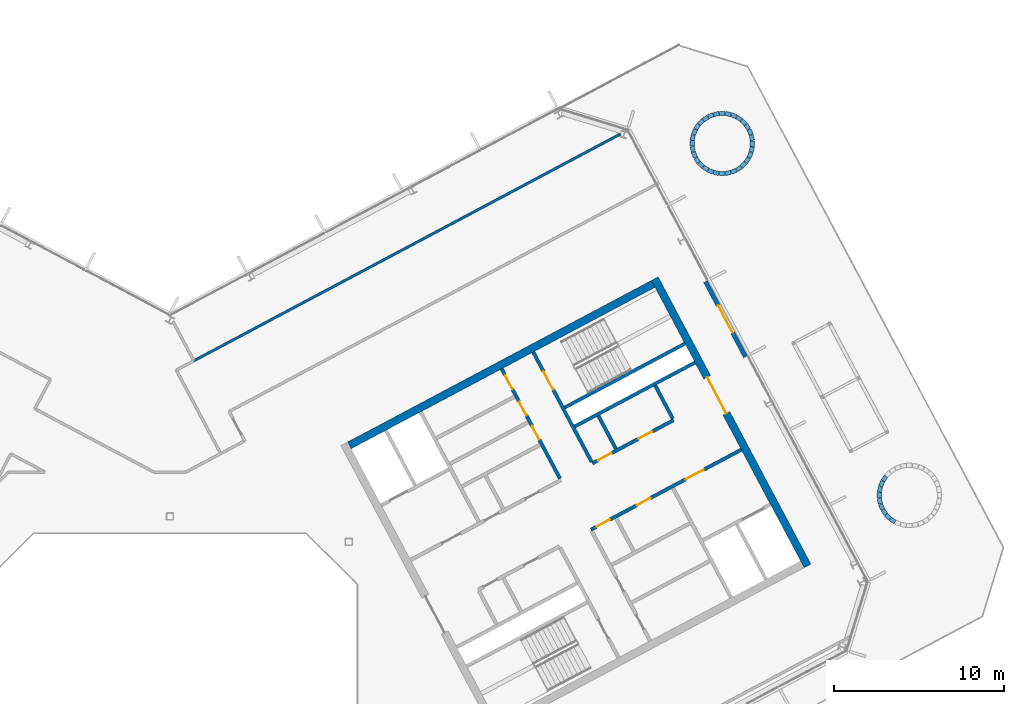
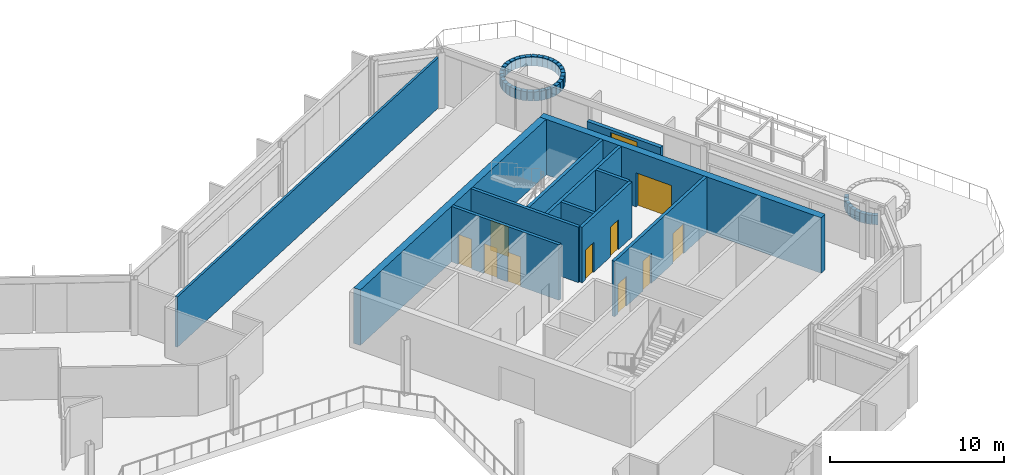
# One storey, part 18 of 30: 53 walls, 11 doors, 11 openings.
"""IFC4 building model written with IfcOpenShell, lengths in metres."""

from ifc_helpers import new_model, si_unit, direction, frame, frame_2d, origin, place, context, subcontext, project, spatial, rectangle, extrude, material, layer, layer_set, type_object, element, fill, save


model = new_model("IFC4")

# Units and contexts
model_context = context("Model", 3, precision=1e-05, world=origin(), true_north=direction((0.0, 1.0)))
body_context = subcontext(model_context, "Body", "Model", "MODEL_VIEW")
ifc_project = project(units=[si_unit("LENGTHUNIT", "METRE"), si_unit("AREAUNIT", "SQUARE_METRE"), si_unit("VOLUMEUNIT", "CUBIC_METRE"), si_unit("PLANEANGLEUNIT", "RADIAN"), si_unit("MASSUNIT", "GRAM", prefix="KILO")], contexts=[model_context])

# Site, building, storey
site_placement = place(None, origin())
site = spatial("IfcSite", under=ifc_project, at=site_placement, CompositionType="ELEMENT")
building_placement = place(site_placement, origin())
building = spatial("IfcBuilding", under=site, at=building_placement, Name="Cormorant Relay Tower", CompositionType="ELEMENT")
storey_placement = place(building_placement, frame((0.0, 0.0, 258.0)))
storey = spatial("IfcBuildingStorey", under=building, at=storey_placement, Name="L57", CompositionType="ELEMENT", Elevation=258.0)

# Wall
ifc_material_1 = material(Name="Concrete 40 MPa", Category="concrete")
ifc_layer_1 = layer(ifc_material_1, 0.199951171875)
ifc_layer_set_1 = layer_set([ifc_layer_1], Name="Core internal wall 200")
wall_type_1 = type_object("IfcWallType", Name="Core internal wall 200", PredefinedType="SOLIDWALL", material=ifc_layer_set_1)
wall_1_placement = place(storey_placement, frame((26.19091796875, 15.964599609375, 0.0), z_axis=(0.0, 0.0, 1.0), x_axis=(-0.469533832133, 0.882914480843, 0.0)))
element("IfcWall", 1, at=wall_1_placement, inside=storey, type_object=wall_type_1, Name="L57 core B shaft and room wall", PredefinedType="SOLIDWALL", context=body_context, shape_type="SweptSolid", body=[
    extrude(rectangle(XDim=2.199951171875, YDim=0.199951171875, at=frame_2d((1.10009765625, 0.0))), origin(), (0.0, 0.0, 1.0), 3.89990234375),
])

# Wall, openings, doors
ifc_material_2 = material(Name="Concrete 50 MPa", Category="concrete")
ifc_layer_2 = layer(ifc_material_2, 0.199951171875)
ifc_layer_set_2 = layer_set([ifc_layer_2], Name="Core shaft wall 200")
wall_type_2 = type_object("IfcWallType", Name="Core shaft wall 200", PredefinedType="SHEAR", material=ifc_layer_set_2)
wall_2_placement = place(storey_placement, frame((22.90625, 14.218017578125, 0.0), z_axis=(0.0, 0.0, 1.0), x_axis=(-0.469480409012, 0.88294288918, 0.0)))
wall_2 = element("IfcWall", 2, at=wall_2_placement, inside=storey, type_object=wall_type_2, Name="L57 core B shaft wall", PredefinedType="SHEAR", context=body_context, shape_type="SweptSolid", body=[
    extrude(rectangle(XDim=7.300048828125, YDim=0.199951171875, at=frame_2d((3.64990234375, 0.0))), origin(), (0.0, 0.0, 1.0), 3.89990234375),
])
opening_1_placement = place(wall_2_placement, frame((2.60009765625, 0.0, 0.0)))
opening_1 = element("IfcOpeningElement", 3, at=opening_1_placement, cuts=wall_2, Name="Opening CDD-314", PredefinedType="OPENING", context=body_context, shape_type="SweptSolid", body=[
    extrude(rectangle(XDim=0.89990234375, YDim=2.10009765625, at=frame_2d((0.449951171875, 1.050048828125))), frame((0.0, 0.10986328125, 0.0), z_axis=(0.0, -1.0, 0.0), x_axis=(1.0, 0.0, 0.0)), (0.0, 0.0, 1.0), 0.219970703125),
])
opening_2_placement = place(wall_2_placement, frame((4.199951171875, 0.0, 0.0)))
opening_2 = element("IfcOpeningElement", 4, at=opening_2_placement, cuts=wall_2, Name="Opening CDD-315", PredefinedType="OPENING", context=body_context, shape_type="SweptSolid", body=[
    extrude(rectangle(XDim=0.89990234375, YDim=2.10009765625, at=frame_2d((0.449951171875, 1.050048828125))), frame((0.0, 0.10986328125, 0.0), z_axis=(0.0, -1.0, 0.0), x_axis=(1.0, 0.0, 0.0)), (0.0, 0.0, 1.0), 0.219970703125),
])
opening_3_placement = place(wall_2_placement, frame((5.949951171875, 0.0, 0.0)))
opening_3 = element("IfcOpeningElement", 5, at=opening_3_placement, cuts=wall_2, Name="Opening CDD-316", PredefinedType="OPENING", context=body_context, shape_type="SweptSolid", body=[
    extrude(rectangle(XDim=0.89990234375, YDim=2.10009765625, at=frame_2d((0.449951171875, 1.050048828125))), frame((0.0, 0.10986328125, 0.0), z_axis=(0.0, -1.0, 0.0), x_axis=(1.0, 0.0, 0.0)), (0.0, 0.0, 1.0), 0.219970703125),
])
ifc_material_3 = material(Name="Steel fire door", Category="steel")
door_type_1 = type_object("IfcDoorType", Name="Core room door 900x2100", OperationType="SINGLE_SWING_LEFT", PredefinedType="DOOR", material=ifc_material_3)
door_1_placement = place(opening_1_placement, frame((0.89990234375, 0.0, 0.0), z_axis=(0.0, 0.0, 1.0), x_axis=(-1.0, 0.0, 0.0)))
door_1 = element("IfcDoor", 6, at=door_1_placement, inside=storey, type_object=door_type_1, Name="Core room door 900x2100", OperationType="SINGLE_SWING_LEFT", OverallHeight=2.10009765625, OverallWidth=0.89990234375, PredefinedType="DOOR", context=body_context, shape_type="SweptSolid", body=[
    extrude(rectangle(XDim=0.89990234375, YDim=2.10009765625, at=frame_2d((0.449951171875, 1.050048828125))), frame((0.0, 0.02490234375, 0.0), z_axis=(0.0, -1.0, 0.0), x_axis=(1.0, 0.0, 0.0)), (0.0, 0.0, 1.0), 0.050048828125),
])
fill(opening_1, door_1)
door_2_placement = place(opening_2_placement, frame((0.89990234375, 0.0, 0.0), z_axis=(0.0, 0.0, 1.0), x_axis=(-1.0, 0.0, 0.0)))
door_2 = element("IfcDoor", 7, at=door_2_placement, inside=storey, type_object=door_type_1, Name="Core room door 900x2100", OperationType="SINGLE_SWING_LEFT", OverallHeight=2.10009765625, OverallWidth=0.89990234375, PredefinedType="DOOR", context=body_context, shape_type="SweptSolid", body=[
    extrude(rectangle(XDim=0.89990234375, YDim=2.10009765625, at=frame_2d((0.449951171875, 1.050048828125))), frame((0.0, 0.02490234375, 0.0), z_axis=(0.0, -1.0, 0.0), x_axis=(1.0, 0.0, 0.0)), (0.0, 0.0, 1.0), 0.050048828125),
])
fill(opening_2, door_2)
door_3_placement = place(opening_3_placement, frame((0.89990234375, 0.0, 0.0), z_axis=(0.0, 0.0, 1.0), x_axis=(-1.0, 0.0, 0.0)))
door_3 = element("IfcDoor", 8, at=door_3_placement, inside=storey, type_object=door_type_1, Name="Core room door 900x2100", OperationType="SINGLE_SWING_LEFT", OverallHeight=2.10009765625, OverallWidth=0.89990234375, PredefinedType="DOOR", context=body_context, shape_type="SweptSolid", body=[
    extrude(rectangle(XDim=0.89990234375, YDim=2.10009765625, at=frame_2d((0.449951171875, 1.050048828125))), frame((0.0, 0.02490234375, 0.0), z_axis=(0.0, -1.0, 0.0), x_axis=(1.0, 0.0, 0.0)), (0.0, 0.0, 1.0), 0.050048828125),
])
fill(opening_3, door_3)

# Wall, opening, door
wall_3_placement = place(storey_placement, frame((24.760498046875, 15.2041015625, 0.0), z_axis=(0.0, 0.0, 1.0), x_axis=(-0.469494272526, 0.882935517501, 0.0)))
wall_3 = element("IfcWall", 9, at=wall_3_placement, inside=storey, type_object=wall_type_2, Name="L57 core B shaft wall", PredefinedType="SHEAR", context=body_context, shape_type="SweptSolid", body=[
    extrude(rectangle(XDim=7.2998046875, YDim=0.199951171875, at=frame_2d((3.64990234375, 0.0))), origin(), (0.0, 0.0, 1.0), 3.89990234375),
])
opening_4_placement = place(wall_3_placement, frame((4.800048828125, 0.0, 0.0)))
opening_4 = element("IfcOpeningElement", 10, at=opening_4_placement, cuts=wall_3, Name="Opening CDB-041", PredefinedType="OPENING", context=body_context, shape_type="SweptSolid", body=[
    extrude(rectangle(XDim=1.199951171875, YDim=2.10009765625, at=frame_2d((0.60009765625, 1.050048828125))), frame((0.0, 0.10986328125, 0.0), z_axis=(0.0, -1.0, 0.0), x_axis=(1.0, 0.0, 0.0)), (0.0, 0.0, 1.0), 0.219970703125),
])
ifc_material_4 = material(Name="Steel fire door", Category="steel")
door_type_2 = type_object("IfcDoorType", Name="Core stair door 1200x2100", OperationType="SINGLE_SWING_LEFT", PredefinedType="DOOR", material=ifc_material_4)
door_4_placement = place(opening_4_placement, frame((1.199951171875, 0.0, 0.0), z_axis=(0.0, 0.0, 1.0), x_axis=(-1.0, 0.0, 0.0)))
door_4 = element("IfcDoor", 11, at=door_4_placement, inside=storey, type_object=door_type_2, Name="Core stair door 1200x2100", OperationType="SINGLE_SWING_RIGHT", OverallHeight=2.10009765625, OverallWidth=1.199951171875, PredefinedType="DOOR", context=body_context, shape_type="SweptSolid", body=[
    extrude(rectangle(XDim=1.199951171875, YDim=2.10009765625, at=frame_2d((0.60009765625, 1.050048828125))), frame((0.0, 0.02490234375, 0.0), z_axis=(0.0, -1.0, 0.0), x_axis=(1.0, 0.0, 0.0)), (0.0, 0.0, 1.0), 0.050048828125),
])
fill(opening_4, door_4)

# Wall
wall_4_placement = place(storey_placement, frame((29.5283203125, 17.739013671875, 0.0), z_axis=(0.0, 0.0, 1.0), x_axis=(-0.469401318492, 0.882984938828, 0.0)))
element("IfcWall", 12, at=wall_4_placement, inside=storey, type_object=wall_type_2, Name="L57 core B shaft wall", PredefinedType="SHEAR", context=body_context, shape_type="SweptSolid", body=[
    extrude(rectangle(XDim=2.199951171875, YDim=0.199951171875, at=frame_2d((1.10009765625, 0.0))), origin(), (0.0, 0.0, 1.0), 3.89990234375),
])

# Wall, openings, doors
wall_5_placement = place(storey_placement, frame((24.72607421875, 11.2216796875, 0.0), z_axis=(0.0, 0.0, 1.0), x_axis=(0.882940221191, 0.469485426614, 0.0)))
wall_5 = element("IfcWall", 13, at=wall_5_placement, inside=storey, type_object=wall_type_2, Name="L57 core B shaft wall", PredefinedType="SHEAR", context=body_context, shape_type="SweptSolid", body=[
    extrude(rectangle(XDim=10.0, YDim=0.199951171875, at=frame_2d((5.0, 0.0))), origin(), (0.0, 0.0, 1.0), 3.89990234375),
])
opening_5_placement = place(wall_5_placement, frame((6.300048828125, 0.0, 0.0)))
opening_5 = element("IfcOpeningElement", 14, at=opening_5_placement, cuts=wall_5, Name="Opening CDC-038", PredefinedType="OPENING", context=body_context, shape_type="SweptSolid", body=[
    extrude(rectangle(XDim=1.199951171875, YDim=2.10009765625, at=frame_2d((0.60009765625, 1.050048828125))), frame((0.0, 0.10986328125, 0.0), z_axis=(0.0, -1.0, 0.0), x_axis=(1.0, 0.0, 0.0)), (0.0, 0.0, 1.0), 0.219970703125),
])
opening_6_placement = place(wall_5_placement, frame((0.360107421875, 0.0, 0.0)))
opening_6 = element("IfcOpeningElement", 15, at=opening_6_placement, cuts=wall_5, Name="Opening CDD-247", PredefinedType="OPENING", context=body_context, shape_type="SweptSolid", body=[
    extrude(rectangle(XDim=0.89990234375, YDim=2.10009765625, at=frame_2d((0.449951171875, 1.050048828125))), frame((0.0, 0.10986328125, 0.0), z_axis=(0.0, -1.0, 0.0), x_axis=(1.0, 0.0, 0.0)), (0.0, 0.0, 1.0), 0.219970703125),
])
opening_7_placement = place(wall_5_placement, frame((3.06005859375, 0.0, 0.0)))
opening_7 = element("IfcOpeningElement", 16, at=opening_7_placement, cuts=wall_5, Name="Opening CDD-248", PredefinedType="OPENING", context=body_context, shape_type="SweptSolid", body=[
    extrude(rectangle(XDim=0.89990234375, YDim=2.10009765625, at=frame_2d((0.449951171875, 1.050048828125))), frame((0.0, 0.10986328125, 0.0), z_axis=(0.0, -1.0, 0.0), x_axis=(1.0, 0.0, 0.0)), (0.0, 0.0, 1.0), 0.219970703125),
])
ifc_material_5 = material(Name="Steel fire door", Category="steel")
door_type_3 = type_object("IfcDoorType", Name="Core lobby door 1200x2100", OperationType="SINGLE_SWING_LEFT", PredefinedType="DOOR", material=ifc_material_5)
door_5_placement = place(opening_5_placement, origin())
door_5 = element("IfcDoor", 17, at=door_5_placement, inside=storey, type_object=door_type_3, Name="Core lobby door 1200x2100", OperationType="SINGLE_SWING_LEFT", OverallHeight=2.10009765625, OverallWidth=1.199951171875, PredefinedType="DOOR", context=body_context, shape_type="SweptSolid", body=[
    extrude(rectangle(XDim=1.199951171875, YDim=2.10009765625, at=frame_2d((0.60009765625, 1.050048828125))), frame((0.0, 0.02490234375, 0.0), z_axis=(0.0, -1.0, 0.0), x_axis=(1.0, 0.0, 0.0)), (0.0, 0.0, 1.0), 0.050048828125),
])
fill(opening_5, door_5)
door_6_placement = place(opening_6_placement, frame((0.89990234375, 0.0, 0.0), z_axis=(0.0, 0.0, 1.0), x_axis=(-1.0, 0.0, 0.0)))
door_6 = element("IfcDoor", 18, at=door_6_placement, inside=storey, type_object=door_type_1, Name="Core room door 900x2100", OperationType="SINGLE_SWING_RIGHT", OverallHeight=2.10009765625, OverallWidth=0.89990234375, PredefinedType="DOOR", context=body_context, shape_type="SweptSolid", body=[
    extrude(rectangle(XDim=0.89990234375, YDim=2.10009765625, at=frame_2d((0.449951171875, 1.050048828125))), frame((0.0, 0.02490234375, 0.0), z_axis=(0.0, -1.0, 0.0), x_axis=(1.0, 0.0, 0.0)), (0.0, 0.0, 1.0), 0.050048828125),
])
fill(opening_6, door_6)
door_7_placement = place(opening_7_placement, frame((0.89990234375, 0.0, 0.0), z_axis=(0.0, 0.0, 1.0), x_axis=(-1.0, 0.0, 0.0)))
door_7 = element("IfcDoor", 19, at=door_7_placement, inside=storey, type_object=door_type_1, Name="Core room door 900x2100", OperationType="SINGLE_SWING_RIGHT", OverallHeight=2.10009765625, OverallWidth=0.89990234375, PredefinedType="DOOR", context=body_context, shape_type="SweptSolid", body=[
    extrude(rectangle(XDim=0.89990234375, YDim=2.10009765625, at=frame_2d((0.449951171875, 1.050048828125))), frame((0.0, 0.02490234375, 0.0), z_axis=(0.0, -1.0, 0.0), x_axis=(1.0, 0.0, 0.0)), (0.0, 0.0, 1.0), 0.050048828125),
])
fill(opening_7, door_7)

wall_6_placement = place(storey_placement, frame((24.807373046875, 15.11572265625, 0.0), z_axis=(0.0, 0.0, 1.0), x_axis=(0.882942972946, 0.469480251476, 0.0)))
wall_6 = element("IfcWall", 20, at=wall_6_placement, inside=storey, type_object=wall_type_2, Name="L57 core B shaft wall", PredefinedType="SHEAR", context=body_context, shape_type="SweptSolid", body=[
    extrude(rectangle(XDim=5.39990234375, YDim=0.199951171875, at=frame_2d((2.699951171875, 0.0))), origin(), (0.0, 0.0, 1.0), 3.89990234375),
])
opening_8_placement = place(wall_6_placement, frame((0.360107421875, 0.0, 0.0)))
opening_8 = element("IfcOpeningElement", 21, at=opening_8_placement, cuts=wall_6, Name="Opening CDD-273", PredefinedType="OPENING", context=body_context, shape_type="SweptSolid", body=[
    extrude(rectangle(XDim=0.89990234375, YDim=2.10009765625, at=frame_2d((0.449951171875, 1.050048828125))), frame((0.0, 0.10986328125, 0.0), z_axis=(0.0, -1.0, 0.0), x_axis=(1.0, 0.0, 0.0)), (0.0, 0.0, 1.0), 0.219970703125),
])
opening_9_placement = place(wall_6_placement, frame((3.06005859375, 0.0, 0.0)))
opening_9 = element("IfcOpeningElement", 22, at=opening_9_placement, cuts=wall_6, Name="Opening CDD-244", PredefinedType="OPENING", context=body_context, shape_type="SweptSolid", body=[
    extrude(rectangle(XDim=0.89990234375, YDim=2.10009765625, at=frame_2d((0.449951171875, 1.050048828125))), frame((0.0, 0.10986328125, 0.0), z_axis=(0.0, -1.0, 0.0), x_axis=(1.0, 0.0, 0.0)), (0.0, 0.0, 1.0), 0.219970703125),
])
door_8_placement = place(opening_8_placement, frame((0.89990234375, 0.0, 0.0), z_axis=(0.0, 0.0, 1.0), x_axis=(-1.0, 0.0, 0.0)))
door_8 = element("IfcDoor", 23, at=door_8_placement, inside=storey, type_object=door_type_1, Name="Core room door 900x2100", OperationType="SINGLE_SWING_RIGHT", OverallHeight=2.10009765625, OverallWidth=0.89990234375, PredefinedType="DOOR", context=body_context, shape_type="SweptSolid", body=[
    extrude(rectangle(XDim=0.89990234375, YDim=2.10009765625, at=frame_2d((0.449951171875, 1.050048828125))), frame((0.0, 0.02490234375, 0.0), z_axis=(0.0, -1.0, 0.0), x_axis=(1.0, 0.0, 0.0)), (0.0, 0.0, 1.0), 0.050048828125),
])
fill(opening_8, door_8)
door_9_placement = place(opening_9_placement, frame((0.89990234375, 0.0, 0.0), z_axis=(0.0, 0.0, 1.0), x_axis=(-1.0, 0.0, 0.0)))
door_9 = element("IfcDoor", 24, at=door_9_placement, inside=storey, type_object=door_type_1, Name="Core room door 900x2100", OperationType="SINGLE_SWING_RIGHT", OverallHeight=2.10009765625, OverallWidth=0.89990234375, PredefinedType="DOOR", context=body_context, shape_type="SweptSolid", body=[
    extrude(rectangle(XDim=0.89990234375, YDim=2.10009765625, at=frame_2d((0.449951171875, 1.050048828125))), frame((0.0, 0.02490234375, 0.0), z_axis=(0.0, -1.0, 0.0), x_axis=(1.0, 0.0, 0.0)), (0.0, 0.0, 1.0), 0.050048828125),
])
fill(opening_9, door_9)

# Walls
wall_7_placement = place(storey_placement, frame((23.76904296875, 17.28173828125, 0.0), z_axis=(0.0, 0.0, 1.0), x_axis=(0.882940221191, 0.469485426614, 0.0)))
element("IfcWall", 25, at=wall_7_placement, inside=storey, type_object=wall_type_2, Name="L57 core B shaft wall", PredefinedType="SHEAR", context=body_context, shape_type="SweptSolid", body=[
    extrude(rectangle(XDim=8.0, YDim=0.199951171875, at=frame_2d((4.0, 0.0))), origin(), (0.0, 0.0, 1.0), 3.89990234375),
])
wall_8_placement = place(storey_placement, frame((23.18212890625, 18.385498046875, 0.0), z_axis=(0.0, 0.0, 1.0), x_axis=(0.88295287151, 0.469461634952, 0.0)))
element("IfcWall", 26, at=wall_8_placement, inside=storey, type_object=wall_type_2, Name="L57 core B shaft wall", PredefinedType="SHEAR", context=body_context, shape_type="SweptSolid", body=[
    extrude(rectangle(XDim=7.999755859375, YDim=0.199951171875, at=frame_2d((4.0, 0.0))), origin(), (0.0, 0.0, 1.0), 3.89990234375),
])

# Wall, opening, door
ifc_material_6 = material(Name="Concrete 50 MPa", Category="concrete")
ifc_layer_3 = layer(ifc_material_6, 0.449951171875)
ifc_layer_set_3 = layer_set([ifc_layer_3], Name="Core wall 450")
wall_type_3 = type_object("IfcWallType", Name="Core wall 450", PredefinedType="SHEAR", material=ifc_layer_set_3)
wall_9_placement = place(storey_placement, frame((37.439453125, 9.0908203125, 0.0), z_axis=(0.0, 0.0, 1.0), x_axis=(-0.469467968382, 0.882949504028, 0.0)))
wall_9 = element("IfcWall", 27, at=wall_9_placement, inside=storey, type_object=wall_type_3, Name="L57 core B wall", PredefinedType="SHEAR", context=body_context, shape_type="SweptSolid", body=[
    extrude(rectangle(XDim=19.099853515625, YDim=0.449951171875, at=frame_2d((9.5498046875, 0.0))), origin(), (0.0, 0.0, 1.0), 3.89990234375),
])
opening_10_placement = place(wall_9_placement, frame((10.14990234375, 0.0, 0.0)))
opening_10 = element("IfcOpeningElement", 28, at=opening_10_placement, cuts=wall_9, Name="Opening CDA-053", PredefinedType="OPENING", context=body_context, shape_type="SweptSolid", body=[
    extrude(rectangle(XDim=2.39990234375, YDim=2.39990234375, at=frame_2d((1.199951171875, 1.199951171875))), frame((0.0, 0.23486328125, 0.0), z_axis=(0.0, -1.0, 0.0), x_axis=(1.0, 0.0, 0.0)), (0.0, 0.0, 1.0), 0.469970703125),
])
ifc_material_7 = material(Name="Steel fire door", Category="steel")
door_type_4 = type_object("IfcDoorType", Name="Core lobby door 2400x2400", OperationType="DOUBLE_DOOR_SINGLE_SWING", PredefinedType="DOOR", material=ifc_material_7)
door_10_placement = place(opening_10_placement, origin())
door_10 = element("IfcDoor", 29, at=door_10_placement, inside=storey, type_object=door_type_4, Name="Core lobby door 2400x2400", OperationType="DOUBLE_DOOR_SINGLE_SWING", OverallHeight=2.39990234375, OverallWidth=2.39990234375, PredefinedType="DOOR", context=body_context, shape_type="SweptSolid", body=[
    extrude(rectangle(XDim=2.39990234375, YDim=2.39990234375, at=frame_2d((1.199951171875, 1.199951171875))), frame((0.0, 0.02490234375, 0.0), z_axis=(0.0, -1.0, 0.0), x_axis=(1.0, 0.0, 0.0)), (0.0, 0.0, 1.0), 0.050048828125),
])
fill(opening_10, door_10)

# Walls
wall_10_placement = place(storey_placement, frame((10.5439453125, 16.16748046875, 0.0), z_axis=(0.0, 0.0, 1.0), x_axis=(0.882947755831, 0.46947125628, 0.0)))
element("IfcWall", 30, at=wall_10_placement, inside=storey, type_object=wall_type_3, Name="L57 core B wall", PredefinedType="SHEAR", context=body_context, shape_type="SweptSolid", body=[
    extrude(rectangle(XDim=20.2001953125, YDim=0.449951171875, at=frame_2d((10.10009765625, 0.0))), origin(), (0.0, 0.0, 1.0), 3.89990234375),
])
ifc_material_8 = material(Name="Concrete 40 MPa", Category="concrete")
ifc_layer_4 = layer(ifc_material_8, 0.25)
ifc_layer_set_4 = layer_set([ifc_layer_4], Name="Planter kerb 250")
wall_type_4 = type_object("IfcWallType", Name="Planter kerb 250", PredefinedType="STANDARD", material=ifc_layer_set_4)
for number, where, z_axis, x_axis, name in (
    (31, (42.569580078125, 11.677001953125, 0.0), (0.0, 0.0, 1.0), (-0.829836540978, 0.558006554852, 0.0), "Terrace PLANTER 57-01 kerb"),
    (32, (42.282470703125, 11.872802734375, 0.0), (0.0, 0.0, 1.0), (-0.705973296676, 0.708238451639, 0.0), "Terrace PLANTER 57-01 kerb"),
    (33, (42.038818359375, 12.120849609375, 0.0), (0.0, 0.0, 1.0), (-0.553828087635, 0.832631040346, 0.0), "Terrace PLANTER 57-01 kerb"),
):
    element("IfcWall", number, at=place(storey_placement, frame(where, z_axis=z_axis, x_axis=x_axis)), inside=storey, type_object=wall_type_4, Name=name, PredefinedType="STANDARD", context=body_context, shape_type="SweptSolid", body=[
        extrude(rectangle(XDim=0.3232421875, YDim=0.25, at=frame_2d((0.16162109375, 0.0))), origin(), (0.0, 0.0, 1.0), 0.64990234375),
    ])
for number, where, z_axis, x_axis, name in (
    (34, (41.848388671875, 12.41162109375, 0.0), (0.0, 0.0, 1.0), (-0.380484001063, 0.924787502584, 0.0), "Terrace PLANTER 57-01 kerb"),
    (35, (41.71826171875, 12.73388671875, 0.0), (0.0, 0.0, 1.0), (-0.192485724829, 0.981299773636, 0.0), "Terrace PLANTER 57-01 kerb"),
):
    element("IfcWall", number, at=place(storey_placement, frame(where, z_axis=z_axis, x_axis=x_axis)), inside=storey, type_object=wall_type_4, Name=name, PredefinedType="STANDARD", context=body_context, shape_type="SweptSolid", body=[
        extrude(rectangle(XDim=0.323486328125, YDim=0.25, at=frame_2d((0.16162109375, 0.0))), origin(), (0.0, 0.0, 1.0), 0.64990234375),
    ])
wall_11_placement = place(storey_placement, frame((41.653564453125, 13.07568359375, 0.0), z_axis=(0.0, 0.0, 1.0), x_axis=(0.002267567866, 0.999997429065, 0.0)))
element("IfcWall", 36, at=wall_11_placement, inside=storey, type_object=wall_type_4, Name="Terrace PLANTER 57-01 kerb", PredefinedType="STANDARD", context=body_context, shape_type="SweptSolid", body=[
    extrude(rectangle(XDim=0.322998046875, YDim=0.25, at=frame_2d((0.16162109375, 0.0))), origin(), (0.0, 0.0, 1.0), 0.64990234375),
])
for number, where, z_axis, x_axis, name in (
    (37, (41.65673828125, 13.423095703125, 0.0), (0.0, 0.0, 1.0), (0.197132777016, 0.980376799106, 0.0), "Terrace PLANTER 57-01 kerb"),
    (38, (41.7275390625, 13.763427734375, 0.0), (0.0, 0.0, 1.0), (0.384508103627, 0.923121616173, 0.0), "Terrace PLANTER 57-01 kerb"),
    (39, (41.863525390625, 14.08349609375, 0.0), (0.0, 0.0, 1.0), (0.557486254125, 0.830186169761, 0.0), "Terrace PLANTER 57-01 kerb"),
):
    element("IfcWall", number, at=place(storey_placement, frame(where, z_axis=z_axis, x_axis=x_axis)), inside=storey, type_object=wall_type_4, Name=name, PredefinedType="STANDARD", context=body_context, shape_type="SweptSolid", body=[
        extrude(rectangle(XDim=0.3232421875, YDim=0.25, at=frame_2d((0.16162109375, 0.0))), origin(), (0.0, 0.0, 1.0), 0.64990234375),
    ])
wall_12_placement = place(storey_placement, frame((34.005615234375, 34.7158203125, 0.0), z_axis=(0.0, 0.0, 1.0), x_axis=(0.38010358941, -0.924943923337, 0.0)))
element("IfcWall", 40, at=wall_12_placement, inside=storey, type_object=wall_type_4, Name="Terrace PLANTER 57-02 kerb", PredefinedType="STANDARD", context=body_context, shape_type="SweptSolid", body=[
    extrude(rectangle(XDim=0.322998046875, YDim=0.25, at=frame_2d((0.16162109375, 0.0))), origin(), (0.0, 0.0, 1.0), 0.64990234375),
])
for number, where, z_axis, x_axis, name in (
    (41, (34.135498046875, 34.3935546875, 0.0), (0.0, 0.0, 1.0), (0.193355625209, -0.981128738851, 0.0), "Terrace PLANTER 57-02 kerb"),
    (42, (34.2001953125, 34.052001953125, 0.0), (0.0, 0.0, 1.0), (-0.001510572295, -0.999998859085, 0.0), "Terrace PLANTER 57-02 kerb"),
):
    element("IfcWall", number, at=place(storey_placement, frame(where, z_axis=z_axis, x_axis=x_axis)), inside=storey, type_object=wall_type_4, Name=name, PredefinedType="STANDARD", context=body_context, shape_type="SweptSolid", body=[
        extrude(rectangle(XDim=0.3232421875, YDim=0.25, at=frame_2d((0.16162109375, 0.0))), origin(), (0.0, 0.0, 1.0), 0.64990234375),
    ])
for number, where, z_axis, x_axis, name in (
    (43, (34.197021484375, 33.704345703125, 0.0), (0.0, 0.0, 1.0), (-0.19727885521, -0.980347414587, 0.0), "Terrace PLANTER 57-02 kerb"),
    (44, (34.126220703125, 33.364013671875, 0.0), (0.0, 0.0, 1.0), (-0.384776408636, -0.923009813251, 0.0), "Terrace PLANTER 57-02 kerb"),
):
    element("IfcWall", number, at=place(storey_placement, frame(where, z_axis=z_axis, x_axis=x_axis)), inside=storey, type_object=wall_type_4, Name=name, PredefinedType="STANDARD", context=body_context, shape_type="SweptSolid", body=[
        extrude(rectangle(XDim=0.322998046875, YDim=0.25, at=frame_2d((0.16162109375, 0.0))), origin(), (0.0, 0.0, 1.0), 0.64990234375),
    ])
for number, where, z_axis, x_axis, name in (
    (45, (33.990234375, 33.044189453125, 0.0), (0.0, 0.0, 1.0), (-0.557486254125, -0.830186169761, 0.0), "Terrace PLANTER 57-02 kerb"),
    (46, (33.79443359375, 32.7568359375, 0.0), (0.0, 0.0, 1.0), (-0.708616075446, -0.705594258494, 0.0), "Terrace PLANTER 57-02 kerb"),
    (47, (33.54638671875, 32.513427734375, 0.0), (0.0, 0.0, 1.0), (-0.832631040346, -0.553828087635, 0.0), "Terrace PLANTER 57-02 kerb"),
    (48, (33.255615234375, 32.322998046875, 0.0), (0.0, 0.0, 1.0), (-0.924678098475, -0.380749805254, 0.0), "Terrace PLANTER 57-02 kerb"),
    (49, (32.933349609375, 32.19287109375, 0.0), (0.0, 0.0, 1.0), (-0.981128738851, -0.193355625209, 0.0), "Terrace PLANTER 57-02 kerb"),
    (50, (32.591796875, 32.128173828125, 0.0), (0.0, 0.0, 1.0), (-0.999997432947, 0.002265855211, 0.0), "Terrace PLANTER 57-02 kerb"),
):
    element("IfcWall", number, at=place(storey_placement, frame(where, z_axis=z_axis, x_axis=x_axis)), inside=storey, type_object=wall_type_4, Name=name, PredefinedType="STANDARD", context=body_context, shape_type="SweptSolid", body=[
        extrude(rectangle(XDim=0.3232421875, YDim=0.25, at=frame_2d((0.16162109375, 0.0))), origin(), (0.0, 0.0, 1.0), 0.64990234375),
    ])
for number, where, z_axis, x_axis, name in (
    (51, (32.244140625, 32.131103515625, 0.0), (0.0, 0.0, 1.0), (-0.980200983107, 0.198005133056, 0.0), "Terrace PLANTER 57-02 kerb"),
    (52, (31.90380859375, 32.2021484375, 0.0), (0.0, 0.0, 1.0), (-0.923009813251, 0.384776408636, 0.0), "Terrace PLANTER 57-02 kerb"),
):
    element("IfcWall", number, at=place(storey_placement, frame(where, z_axis=z_axis, x_axis=x_axis)), inside=storey, type_object=wall_type_4, Name=name, PredefinedType="STANDARD", context=body_context, shape_type="SweptSolid", body=[
        extrude(rectangle(XDim=0.322998046875, YDim=0.25, at=frame_2d((0.16162109375, 0.0))), origin(), (0.0, 0.0, 1.0), 0.64990234375),
    ])
for number, where, z_axis, x_axis, name in (
    (53, (31.583984375, 32.338134765625, 0.0), (0.0, 0.0, 1.0), (-0.830186169761, 0.557486254125, 0.0), "Terrace PLANTER 57-02 kerb"),
    (54, (31.296630859375, 32.53369140625, 0.0), (0.0, 0.0, 1.0), (-0.705216636839, 0.708991886501, 0.0), "Terrace PLANTER 57-02 kerb"),
    (55, (31.05322265625, 32.781982421875, 0.0), (0.0, 0.0, 1.0), (-0.553828087635, 0.832631040346, 0.0), "Terrace PLANTER 57-02 kerb"),
):
    element("IfcWall", number, at=place(storey_placement, frame(where, z_axis=z_axis, x_axis=x_axis)), inside=storey, type_object=wall_type_4, Name=name, PredefinedType="STANDARD", context=body_context, shape_type="SweptSolid", body=[
        extrude(rectangle(XDim=0.3232421875, YDim=0.25, at=frame_2d((0.16162109375, 0.0))), origin(), (0.0, 0.0, 1.0), 0.64990234375),
    ])
wall_13_placement = place(storey_placement, frame((30.86279296875, 33.072509765625, 0.0), z_axis=(0.0, 0.0, 1.0), x_axis=(-0.380484001063, 0.924787502584, 0.0)))
element("IfcWall", 56, at=wall_13_placement, inside=storey, type_object=wall_type_4, Name="Terrace PLANTER 57-02 kerb", PredefinedType="STANDARD", context=body_context, shape_type="SweptSolid", body=[
    extrude(rectangle(XDim=0.323486328125, YDim=0.25, at=frame_2d((0.16162109375, 0.0))), origin(), (0.0, 0.0, 1.0), 0.64990234375),
])
for number, where, z_axis, x_axis, name in (
    (57, (30.732666015625, 33.39501953125, 0.0), (0.0, 0.0, 1.0), (-0.193355625209, 0.981128738851, 0.0), "Terrace PLANTER 57-02 kerb"),
    (58, (30.66796875, 33.736572265625, 0.0), (0.0, 0.0, 1.0), (0.002265855211, 0.999997432947, 0.0), "Terrace PLANTER 57-02 kerb"),
    (59, (30.6708984375, 34.083984375, 0.0), (0.0, 0.0, 1.0), (0.197858560826, 0.98023057997, 0.0), "Terrace PLANTER 57-02 kerb"),
):
    element("IfcWall", number, at=place(storey_placement, frame(where, z_axis=z_axis, x_axis=x_axis)), inside=storey, type_object=wall_type_4, Name=name, PredefinedType="STANDARD", context=body_context, shape_type="SweptSolid", body=[
        extrude(rectangle(XDim=0.3232421875, YDim=0.25, at=frame_2d((0.16162109375, 0.0))), origin(), (0.0, 0.0, 1.0), 0.64990234375),
    ])
wall_14_placement = place(storey_placement, frame((30.741943359375, 34.42431640625, 0.0), z_axis=(0.0, 0.0, 1.0), x_axis=(0.38424014014, 0.923233185444, 0.0)))
element("IfcWall", 60, at=wall_14_placement, inside=storey, type_object=wall_type_4, Name="Terrace PLANTER 57-02 kerb", PredefinedType="STANDARD", context=body_context, shape_type="SweptSolid", body=[
    extrude(rectangle(XDim=0.323486328125, YDim=0.25, at=frame_2d((0.16162109375, 0.0))), origin(), (0.0, 0.0, 1.0), 0.64990234375),
])
wall_15_placement = place(storey_placement, frame((30.8779296875, 34.744384765625, 0.0), z_axis=(0.0, 0.0, 1.0), x_axis=(0.557486254125, 0.830186169761, 0.0)))
element("IfcWall", 61, at=wall_15_placement, inside=storey, type_object=wall_type_4, Name="Terrace PLANTER 57-02 kerb", PredefinedType="STANDARD", context=body_context, shape_type="SweptSolid", body=[
    extrude(rectangle(XDim=0.3232421875, YDim=0.25, at=frame_2d((0.16162109375, 0.0))), origin(), (0.0, 0.0, 1.0), 0.64990234375),
])
wall_16_placement = place(storey_placement, frame((31.073486328125, 35.031494140625, 0.0), z_axis=(0.0, 0.0, 1.0), x_axis=(0.708614466402, 0.705595874426, 0.0)))
element("IfcWall", 62, at=wall_16_placement, inside=storey, type_object=wall_type_4, Name="Terrace PLANTER 57-02 kerb", PredefinedType="STANDARD", context=body_context, shape_type="SweptSolid", body=[
    extrude(rectangle(XDim=0.323486328125, YDim=0.25, at=frame_2d((0.16162109375, 0.0))), origin(), (0.0, 0.0, 1.0), 0.64990234375),
])
for number, where, z_axis, x_axis, name in (
    (63, (31.32177734375, 35.275146484375, 0.0), (0.0, 0.0, 1.0), (0.832631040346, 0.553828087635, 0.0), "Terrace PLANTER 57-02 kerb"),
    (64, (31.6123046875, 35.4658203125, 0.0), (0.0, 0.0, 1.0), (0.925052987674, 0.379838083919, 0.0), "Terrace PLANTER 57-02 kerb"),
    (65, (31.934814453125, 35.595703125, 0.0), (0.0, 0.0, 1.0), (0.981128738851, 0.193355625209, 0.0), "Terrace PLANTER 57-02 kerb"),
    (66, (32.2763671875, 35.660400390625, 0.0), (0.0, 0.0, 1.0), (0.999998859085, -0.001510572295, 0.0), "Terrace PLANTER 57-02 kerb"),
):
    element("IfcWall", number, at=place(storey_placement, frame(where, z_axis=z_axis, x_axis=x_axis)), inside=storey, type_object=wall_type_4, Name=name, PredefinedType="STANDARD", context=body_context, shape_type="SweptSolid", body=[
        extrude(rectangle(XDim=0.3232421875, YDim=0.25, at=frame_2d((0.16162109375, 0.0))), origin(), (0.0, 0.0, 1.0), 0.64990234375),
    ])
for number, where, z_axis, x_axis, name in (
    (67, (32.623779296875, 35.6572265625, 0.0), (0.0, 0.0, 1.0), (0.980406118423, -0.19698691063, 0.0), "Terrace PLANTER 57-02 kerb"),
    (68, (32.964111328125, 35.58642578125, 0.0), (0.0, 0.0, 1.0), (0.923233185444, -0.38424014014, 0.0), "Terrace PLANTER 57-02 kerb"),
):
    element("IfcWall", number, at=place(storey_placement, frame(where, z_axis=z_axis, x_axis=x_axis)), inside=storey, type_object=wall_type_4, Name=name, PredefinedType="STANDARD", context=body_context, shape_type="SweptSolid", body=[
        extrude(rectangle(XDim=0.323486328125, YDim=0.25, at=frame_2d((0.16162109375, 0.0))), origin(), (0.0, 0.0, 1.0), 0.64990234375),
    ])
for number, where, z_axis, x_axis, name in (
    (69, (33.2841796875, 35.450439453125, 0.0), (0.0, 0.0, 1.0), (0.830186169761, -0.557486254125, 0.0), "Terrace PLANTER 57-02 kerb"),
    (70, (33.5712890625, 35.254638671875, 0.0), (0.0, 0.0, 1.0), (0.705973296676, -0.708238451639, 0.0), "Terrace PLANTER 57-02 kerb"),
    (71, (33.81494140625, 35.006591796875, 0.0), (0.0, 0.0, 1.0), (0.553828087635, -0.832631040346, 0.0), "Terrace PLANTER 57-02 kerb"),
):
    element("IfcWall", number, at=place(storey_placement, frame(where, z_axis=z_axis, x_axis=x_axis)), inside=storey, type_object=wall_type_4, Name=name, PredefinedType="STANDARD", context=body_context, shape_type="SweptSolid", body=[
        extrude(rectangle(XDim=0.3232421875, YDim=0.25, at=frame_2d((0.16162109375, 0.0))), origin(), (0.0, 0.0, 1.0), 0.64990234375),
    ])
ifc_material_9 = material(Name="Gypsum board partition")
ifc_layer_5 = layer(ifc_material_9, 0.14990234375)
ifc_layer_set_5 = layer_set([ifc_layer_5], Name="Tenant partition 150")
wall_type_5 = type_object("IfcWallType", Name="Tenant partition 150", PredefinedType="PARTITIONING", material=ifc_layer_set_5)
wall_17_placement = place(storey_placement, frame((1.406005859375, 21.134033203125, 0.0), z_axis=(0.0, 0.0, 1.0), x_axis=(0.882947357853, 0.469472004768, 0.0)))
element("IfcWall", 72, at=wall_17_placement, inside=storey, type_object=wall_type_5, Name="wall/L57/part/042", PredefinedType="PARTITIONING", context=body_context, shape_type="SweptSolid", body=[
    extrude(rectangle(XDim=28.378662109375, YDim=0.14990234375, at=frame_2d((14.189453125, 0.0))), origin(), (0.0, 0.0, 1.0), 3.5400390625),
])

# Wall, opening, door
ifc_material_10 = material(Name="Bronze anodised aluminium cladding on steel stud", Category="steel")
ifc_layer_6 = layer(ifc_material_10, 0.25)
ifc_layer_set_6 = layer_set([ifc_layer_6], Name="Terrace entrance wall 250")
wall_type_6 = type_object("IfcWallType", Name="Terrace entrance wall 250", PredefinedType="STANDARD", material=ifc_layer_set_6)
wall_18_placement = place(storey_placement, frame((33.799072265625, 21.368896484375, 0.0), z_axis=(0.0, 0.0, 1.0), x_axis=(-0.469437239642, 0.882965841943, 0.0)))
wall_18 = element("IfcWall", 73, at=wall_18_placement, inside=storey, type_object=wall_type_6, Name="Terrace entrance wall", PredefinedType="STANDARD", context=body_context, shape_type="SweptSolid", body=[
    extrude(rectangle(XDim=5.0, YDim=0.25, at=frame_2d((2.5, 0.0))), origin(), (0.0, 0.0, 1.0), 2.593017578125),
])
opening_11_placement = place(wall_18_placement, frame((1.60009765625, 0.0, 0.0)))
opening_11 = element("IfcOpeningElement", 74, at=opening_11_placement, cuts=wall_18, Name="Opening TD1-011", PredefinedType="OPENING", context=body_context, shape_type="SweptSolid", body=[
    extrude(rectangle(XDim=1.800048828125, YDim=2.39990234375, at=frame_2d((0.89990234375, 1.199951171875))), frame((0.0, 0.135009765625, 0.0), z_axis=(0.0, -1.0, 0.0), x_axis=(1.0, 0.0, 0.0)), (0.0, 0.0, 1.0), 0.27001953125),
])
ifc_material_11 = material(Name="Bronze framed glass door", Category="glass")
door_type_5 = type_object("IfcDoorType", Name="Door terrace glazed 1800", OperationType="DOUBLE_DOOR_SINGLE_SWING", PredefinedType="DOOR", material=ifc_material_11)
door_11_placement = place(opening_11_placement, frame((1.800048828125, 0.0, 0.0), z_axis=(0.0, 0.0, 1.0), x_axis=(-1.0, 0.0, 0.0)))
door_11 = element("IfcDoor", 75, at=door_11_placement, inside=storey, type_object=door_type_5, Name="Terrace door", OperationType="DOUBLE_DOOR_SINGLE_SWING", OverallHeight=2.39990234375, OverallWidth=1.800048828125, PredefinedType="DOOR", context=body_context, shape_type="SweptSolid", body=[
    extrude(rectangle(XDim=1.800048828125, YDim=2.39990234375, at=frame_2d((0.89990234375, 1.199951171875))), frame((0.0, 0.02490234375, 0.0), z_axis=(0.0, -1.0, 0.0), x_axis=(1.0, 0.0, 0.0)), (0.0, 0.0, 1.0), 0.050048828125),
])
fill(opening_11, door_11)

save(model, "model.ifc")
